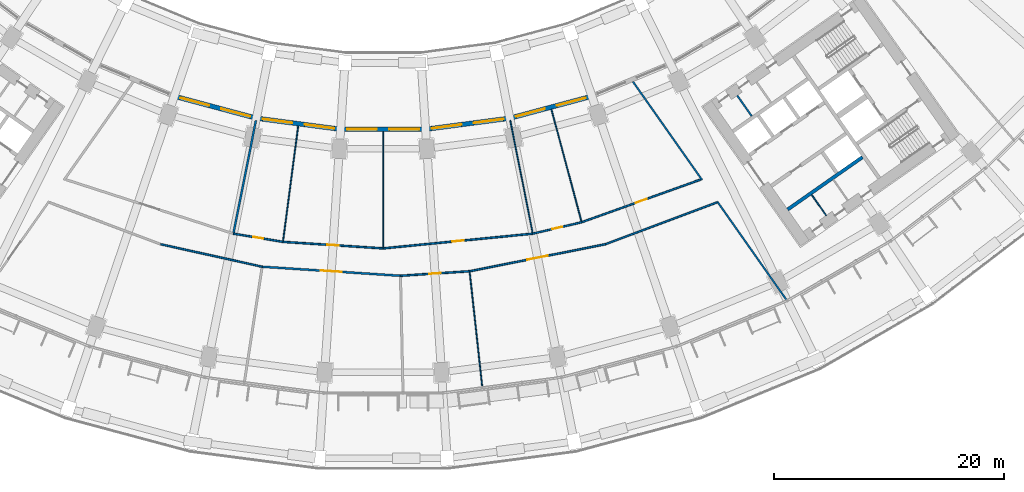
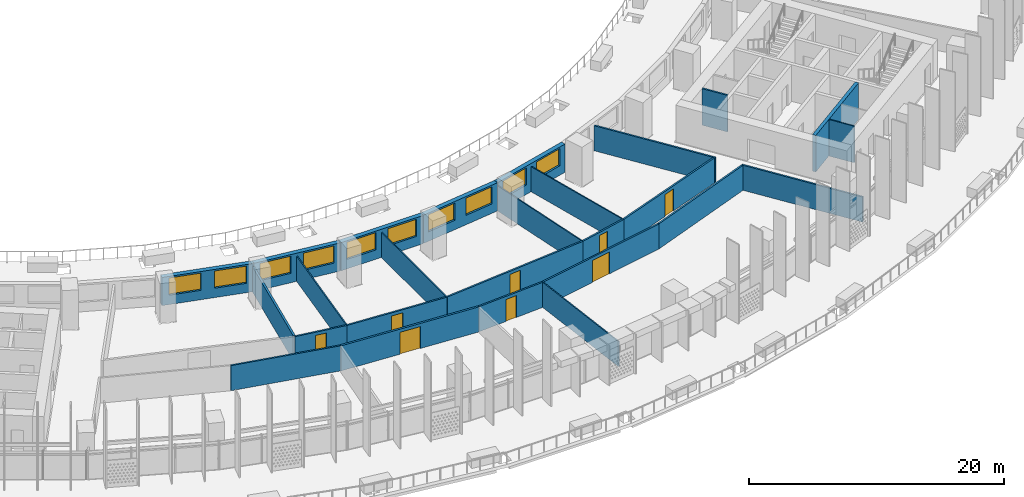
# One storey, part 6 of 35: 26 walls, 10 windows, 8 doors, 18 openings.
"""IFC4 building model written with IfcOpenShell, lengths in metres."""

from ifc_helpers import new_model, si_unit, direction, frame, frame_2d, origin, place, context, subcontext, project, spatial, rectangle, extrude, material, layer, layer_set, type_object, element, fill, save


model = new_model("IFC4")

# Units and contexts
model_context = context("Model", 3, precision=1e-05, world=origin(), true_north=direction((0.0, 1.0)))
body_context = subcontext(model_context, "Body", "Model", "MODEL_VIEW")
ifc_project = project(units=[si_unit("LENGTHUNIT", "METRE"), si_unit("AREAUNIT", "SQUARE_METRE"), si_unit("VOLUMEUNIT", "CUBIC_METRE"), si_unit("PLANEANGLEUNIT", "RADIAN"), si_unit("MASSUNIT", "GRAM", prefix="KILO")], contexts=[model_context])

# Site, building, storey
site_placement = place(None, origin())
site = spatial("IfcSite", under=ifc_project, at=site_placement, CompositionType="ELEMENT")
building_placement = place(site_placement, origin())
building = spatial("IfcBuilding", under=site, at=building_placement, Name="Qamariyya Broadcast Tower", CompositionType="ELEMENT")
storey_placement = place(building_placement, frame((0.0, 0.0, 40.5)))
storey = spatial("IfcBuildingStorey", under=building, at=storey_placement, Name="L06", CompositionType="ELEMENT", Elevation=40.5)

# Wall
ifc_material_1 = material(Name="Gypsum board partition")
ifc_layer_1 = layer(ifc_material_1, 0.14990234375)
ifc_layer_set_1 = layer_set([ifc_layer_1], Name="Corridor partition 150 EI 60")
wall_type_1 = type_object("IfcWallType", Name="Corridor partition 150 EI 60", PredefinedType="PARTITIONING", material=ifc_layer_set_1)
wall_1_placement = place(storey_placement, frame((-19.35791015625, -66.436767578125, 0.0), z_axis=(0.0, 0.0, 1.0), x_axis=(0.97629238904, -0.216455933396, 0.0)))
element("IfcWall", 1, at=wall_1_placement, inside=storey, type_object=wall_type_1, Name="Partition L06-006", PredefinedType="PARTITIONING", context=body_context, shape_type="SweptSolid", body=[
    extrude(rectangle(XDim=9.04345703125, YDim=0.14990234375, at=frame_2d((4.521728515625, 0.0))), origin(), (0.0, 0.0, 1.0), 2.39990234375),
])

# Wall, opening, door
wall_2_placement = place(storey_placement, frame((-13.031982421875, -65.516357421875, 0.0), z_axis=(0.0, 0.0, 1.0), x_axis=(0.986638873051, -0.162922479065, 0.0)))
wall_2 = element("IfcWall", 2, at=wall_2_placement, inside=storey, type_object=wall_type_1, Name="Partition L06-007", PredefinedType="PARTITIONING", context=body_context, shape_type="SweptSolid", body=[
    extrude(rectangle(XDim=4.37109375, YDim=0.14990234375, at=frame_2d((2.185546875, 0.0))), origin(), (0.0, 0.0, 1.0), 2.39990234375),
])
opening_1_placement = place(wall_2_placement, frame((1.735595703125, 0.0, 0.0)))
opening_1 = element("IfcOpeningElement", 3, at=opening_1_placement, cuts=wall_2, Name="Opening L06-D06", PredefinedType="OPENING", context=body_context, shape_type="SweptSolid", body=[
    extrude(rectangle(XDim=0.89990234375, YDim=2.10009765625, at=frame_2d((0.449951171875, 1.050048828125))), frame((0.0, 0.0849609375, 0.0), z_axis=(0.0, -1.0, 0.0), x_axis=(1.0, 0.0, 0.0)), (0.0, 0.0, 1.0), 0.169921875),
])
ifc_material_2 = material(Name="Timber fire door leaf", Category="wood")
door_type_1 = type_object("IfcDoorType", Name="Fire door 900 x 2100 FD60", OperationType="NOTDEFINED", PredefinedType="DOOR", material=ifc_material_2)
door_1_placement = place(opening_1_placement, origin())
door_1 = element("IfcDoor", 4, at=door_1_placement, inside=storey, type_object=door_type_1, Name="Door L06-D06", OperationType="SINGLE_SWING_RIGHT", OverallHeight=2.10009765625, OverallWidth=0.89990234375, PredefinedType="DOOR", context=body_context, shape_type="SweptSolid", body=[
    extrude(rectangle(XDim=0.89990234375, YDim=2.10009765625, at=frame_2d((0.449951171875, 1.050048828125))), frame((0.0, 0.02490234375, 0.0), z_axis=(0.0, -1.0, 0.0), x_axis=(1.0, 0.0, 0.0)), (0.0, 0.0, 1.0), 0.050048828125),
])
fill(opening_1, door_1)

wall_3_placement = place(storey_placement, frame((-8.71923828125, -66.228515625, 0.0), z_axis=(0.0, 0.0, 1.0), x_axis=(0.997858593599, -0.065408158359, 0.0)))
wall_3 = element("IfcWall", 5, at=wall_3_placement, inside=storey, type_object=wall_type_1, Name="Partition L06-011", PredefinedType="PARTITIONING", context=body_context, shape_type="SweptSolid", body=[
    extrude(rectangle(XDim=8.738037109375, YDim=0.14990234375, at=frame_2d((4.369140625, 0.0))), origin(), (0.0, 0.0, 1.0), 2.39990234375),
])
opening_2_placement = place(wall_3_placement, frame((3.868896484375, 0.0, 0.0)))
opening_2 = element("IfcOpeningElement", 6, at=opening_2_placement, cuts=wall_3, Name="Opening L06-D07", PredefinedType="OPENING", context=body_context, shape_type="SweptSolid", body=[
    extrude(rectangle(XDim=1.0, YDim=2.10009765625, at=frame_2d((0.5, 1.050048828125))), frame((0.0, 0.0849609375, 0.0), z_axis=(0.0, -1.0, 0.0), x_axis=(1.0, 0.0, 0.0)), (0.0, 0.0, 1.0), 0.169921875),
])
door_type_2 = type_object("IfcDoorType", Name="Fire door 1000 x 2100 FD60", OperationType="NOTDEFINED", PredefinedType="DOOR", material=ifc_material_2)
door_2_placement = place(opening_2_placement, origin())
door_2 = element("IfcDoor", 7, at=door_2_placement, inside=storey, type_object=door_type_2, Name="Door L06-D07", OperationType="SINGLE_SWING_RIGHT", OverallHeight=2.10009765625, OverallWidth=1.0, PredefinedType="DOOR", context=body_context, shape_type="SweptSolid", body=[
    extrude(rectangle(XDim=1.0, YDim=2.10009765625, at=frame_2d((0.5, 1.050048828125))), frame((0.0, 0.02490234375, 0.0), z_axis=(0.0, -1.0, 0.0), x_axis=(1.0, 0.0, 0.0)), (0.0, 0.0, 1.0), 0.050048828125),
])
fill(opening_2, door_2)

wall_4_placement = place(storey_placement, frame((0.0, -66.800048828125, 0.0), z_axis=(0.0, 0.0, 1.0), x_axis=(0.995183585648, 0.098028724655, 0.0)))
wall_4 = element("IfcWall", 8, at=wall_4_placement, inside=storey, type_object=wall_type_1, Name="Partition L06-013", PredefinedType="PARTITIONING", context=body_context, shape_type="SweptSolid", body=[
    extrude(rectangle(XDim=13.094970703125, YDim=0.14990234375, at=frame_2d((6.54736328125, 0.0))), origin(), (0.0, 0.0, 1.0), 2.39990234375),
])
opening_3_placement = place(wall_4_placement, frame((6.047607421875, 0.0, 0.0)))
opening_3 = element("IfcOpeningElement", 9, at=opening_3_placement, cuts=wall_4, Name="Opening L06-D08", PredefinedType="OPENING", context=body_context, shape_type="SweptSolid", body=[
    extrude(rectangle(XDim=1.0, YDim=2.10009765625, at=frame_2d((0.5, 1.050048828125))), frame((0.0, 0.0849609375, 0.0), z_axis=(0.0, -1.0, 0.0), x_axis=(1.0, 0.0, 0.0)), (0.0, 0.0, 1.0), 0.169921875),
])
door_3_placement = place(opening_3_placement, origin())
door_3 = element("IfcDoor", 10, at=door_3_placement, inside=storey, type_object=door_type_2, Name="Door L06-D08", OperationType="SINGLE_SWING_RIGHT", OverallHeight=2.10009765625, OverallWidth=1.0, PredefinedType="DOOR", context=body_context, shape_type="SweptSolid", body=[
    extrude(rectangle(XDim=1.0, YDim=2.10009765625, at=frame_2d((0.5, 1.050048828125))), frame((0.0, 0.02490234375, 0.0), z_axis=(0.0, -1.0, 0.0), x_axis=(1.0, 0.0, 0.0)), (0.0, 0.0, 1.0), 0.050048828125),
])
fill(opening_3, door_3)

wall_5_placement = place(storey_placement, frame((7.53173828125, -68.788818359375, 0.0), z_axis=(0.0, 0.0, 1.0), x_axis=(-0.997856905736, -0.065433903101, 0.0)))
wall_5 = element("IfcWall", 11, at=wall_5_placement, inside=storey, type_object=wall_type_1, Name="Partition L06-015", PredefinedType="PARTITIONING", context=body_context, shape_type="SweptSolid", body=[
    extrude(rectangle(XDim=6.033203125, YDim=0.14990234375, at=frame_2d((3.0166015625, 0.0))), origin(), (0.0, 0.0, 1.0), 2.39990234375),
])
opening_4_placement = place(wall_5_placement, frame((2.5166015625, 0.0, 0.0)))
opening_4 = element("IfcOpeningElement", 12, at=opening_4_placement, cuts=wall_5, Name="Opening L06-D03", PredefinedType="OPENING", context=body_context, shape_type="SweptSolid", body=[
    extrude(rectangle(XDim=1.0, YDim=2.10009765625, at=frame_2d((0.5, 1.050048828125))), frame((0.0, 0.0849609375, 0.0), z_axis=(0.0, -1.0, 0.0), x_axis=(1.0, 0.0, 0.0)), (0.0, 0.0, 1.0), 0.169921875),
])
door_4_placement = place(opening_4_placement, origin())
door_4 = element("IfcDoor", 13, at=door_4_placement, inside=storey, type_object=door_type_2, Name="Door L06-D03", OperationType="SINGLE_SWING_RIGHT", OverallHeight=2.10009765625, OverallWidth=1.0, PredefinedType="DOOR", context=body_context, shape_type="SweptSolid", body=[
    extrude(rectangle(XDim=1.0, YDim=2.10009765625, at=frame_2d((0.5, 1.050048828125))), frame((0.0, 0.02490234375, 0.0), z_axis=(0.0, -1.0, 0.0), x_axis=(1.0, 0.0, 0.0)), (0.0, 0.0, 1.0), 0.050048828125),
])
fill(opening_4, door_4)

wall_6_placement = place(storey_placement, frame((19.357177734375, -66.436767578125, 0.0), z_axis=(0.0, 0.0, 1.0), x_axis=(-0.980788063455, -0.195076330147, 0.0)))
wall_6 = element("IfcWall", 14, at=wall_6_placement, inside=storey, type_object=wall_type_1, Name="Partition L06-017", PredefinedType="PARTITIONING", context=body_context, shape_type="SweptSolid", body=[
    extrude(rectangle(XDim=12.05712890625, YDim=0.14990234375, at=frame_2d((6.028564453125, 0.0))), origin(), (0.0, 0.0, 1.0), 2.39990234375),
])
opening_5_placement = place(wall_6_placement, frame((5.12841796875, 0.0, 0.0)))
opening_5 = element("IfcOpeningElement", 15, at=opening_5_placement, cuts=wall_6, Name="Opening L06-D04", PredefinedType="OPENING", context=body_context, shape_type="SweptSolid", body=[
    extrude(rectangle(XDim=1.800048828125, YDim=2.10009765625, at=frame_2d((0.89990234375, 1.050048828125))), frame((0.0, 0.0849609375, 0.0), z_axis=(0.0, -1.0, 0.0), x_axis=(1.0, 0.0, 0.0)), (0.0, 0.0, 1.0), 0.169921875),
])
door_type_3 = type_object("IfcDoorType", Name="Double fire door 1800 x 2100 FD60", OperationType="NOTDEFINED", PredefinedType="DOOR", material=ifc_material_2)
door_5_placement = place(opening_5_placement, origin())
door_5 = element("IfcDoor", 16, at=door_5_placement, inside=storey, type_object=door_type_3, Name="Door L06-D04", OperationType="DOUBLE_DOOR_SINGLE_SWING", OverallHeight=2.10009765625, OverallWidth=1.800048828125, PredefinedType="DOOR", context=body_context, shape_type="SweptSolid", body=[
    extrude(rectangle(XDim=1.800048828125, YDim=2.10009765625, at=frame_2d((0.89990234375, 1.050048828125))), frame((0.0, 0.02490234375, 0.0), z_axis=(0.0, -1.0, 0.0), x_axis=(1.0, 0.0, 0.0)), (0.0, 0.0, 1.0), 0.050048828125),
])
fill(opening_5, door_5)

wall_7_placement = place(storey_placement, frame((13.031982421875, -65.516357421875, 0.0), z_axis=(0.0, 0.0, 1.0), x_axis=(0.973886095728, 0.227037161159, 0.0)))
wall_7 = element("IfcWall", 17, at=wall_7_placement, inside=storey, type_object=wall_type_1, Name="Partition L06-020", PredefinedType="PARTITIONING", context=body_context, shape_type="SweptSolid", body=[
    extrude(rectangle(XDim=4.371337890625, YDim=0.14990234375, at=frame_2d((2.185546875, 0.0))), origin(), (0.0, 0.0, 1.0), 2.39990234375),
])
opening_6_placement = place(wall_7_placement, frame((1.735595703125, 0.0, 0.0)))
opening_6 = element("IfcOpeningElement", 18, at=opening_6_placement, cuts=wall_7, Name="Opening L06-D09", PredefinedType="OPENING", context=body_context, shape_type="SweptSolid", body=[
    extrude(rectangle(XDim=0.89990234375, YDim=2.10009765625, at=frame_2d((0.449951171875, 1.050048828125))), frame((0.0, 0.0849609375, 0.0), z_axis=(0.0, -1.0, 0.0), x_axis=(1.0, 0.0, 0.0)), (0.0, 0.0, 1.0), 0.169921875),
])
door_6_placement = place(opening_6_placement, origin())
door_6 = element("IfcDoor", 19, at=door_6_placement, inside=storey, type_object=door_type_1, Name="Door L06-D09", OperationType="SINGLE_SWING_RIGHT", OverallHeight=2.10009765625, OverallWidth=0.89990234375, PredefinedType="DOOR", context=body_context, shape_type="SweptSolid", body=[
    extrude(rectangle(XDim=0.89990234375, YDim=2.10009765625, at=frame_2d((0.449951171875, 1.050048828125))), frame((0.0, 0.02490234375, 0.0), z_axis=(0.0, -1.0, 0.0), x_axis=(1.0, 0.0, 0.0)), (0.0, 0.0, 1.0), 0.050048828125),
])
fill(opening_6, door_6)

wall_8_placement = place(storey_placement, frame((17.2890625, -64.52392578125, 0.0), z_axis=(0.0, 0.0, 1.0), x_axis=(0.941106453562, 0.338110400705, 0.0)))
wall_8 = element("IfcWall", 20, at=wall_8_placement, inside=storey, type_object=wall_type_1, Name="Partition L06-022", PredefinedType="PARTITIONING", context=body_context, shape_type="SweptSolid", body=[
    extrude(rectangle(XDim=11.015869140625, YDim=0.14990234375, at=frame_2d((5.5078125, 0.0))), origin(), (0.0, 0.0, 1.0), 2.39990234375),
])
opening_7_placement = place(wall_8_placement, frame((5.008056640625, 0.0, 0.0)))
opening_7 = element("IfcOpeningElement", 21, at=opening_7_placement, cuts=wall_8, Name="Opening L06-D10", PredefinedType="OPENING", context=body_context, shape_type="SweptSolid", body=[
    extrude(rectangle(XDim=1.0, YDim=2.10009765625, at=frame_2d((0.5, 1.050048828125))), frame((0.0, 0.0849609375, 0.0), z_axis=(0.0, -1.0, 0.0), x_axis=(1.0, 0.0, 0.0)), (0.0, 0.0, 1.0), 0.169921875),
])
door_7_placement = place(opening_7_placement, origin())
door_7 = element("IfcDoor", 22, at=door_7_placement, inside=storey, type_object=door_type_2, Name="Door L06-D10", OperationType="SINGLE_SWING_RIGHT", OverallHeight=2.10009765625, OverallWidth=1.0, PredefinedType="DOOR", context=body_context, shape_type="SweptSolid", body=[
    extrude(rectangle(XDim=1.0, YDim=2.10009765625, at=frame_2d((0.5, 1.050048828125))), frame((0.0, 0.02490234375, 0.0), z_axis=(0.0, -1.0, 0.0), x_axis=(1.0, 0.0, 0.0)), (0.0, 0.0, 1.0), 0.050048828125),
])
fill(opening_7, door_7)

# Walls
wall_9_placement = place(storey_placement, frame((19.37451171875, -66.431640625, 0.0), z_axis=(0.0, 0.0, 1.0), x_axis=(0.936221491251, 0.351410471272, 0.0)))
element("IfcWall", 23, at=wall_9_placement, inside=storey, type_object=wall_type_1, Name="Partition L06-023", PredefinedType="PARTITIONING", context=body_context, shape_type="SweptSolid", body=[
    extrude(rectangle(XDim=10.34619140625, YDim=0.14990234375, at=frame_2d((5.173095703125, 0.0))), origin(), (0.0, 0.0, 1.0), 2.39990234375),
])
wall_10_placement = place(storey_placement, frame((21.748291015625, -52.2763671875, 0.0), z_axis=(0.0, 0.0, 1.0), x_axis=(0.575419434668, -0.817858468322, 0.0)))
element("IfcWall", 24, at=wall_10_placement, inside=storey, type_object=wall_type_1, Name="Partition L06-024", PredefinedType="PARTITIONING", context=body_context, shape_type="SweptSolid", body=[
    extrude(rectangle(XDim=10.46484375, YDim=0.14990234375, at=frame_2d((5.232421875, 0.0))), origin(), (0.0, 0.0, 1.0), 2.39990234375),
])
wall_11_placement = place(storey_placement, frame((29.087890625, -62.708251953125, 0.0), z_axis=(0.0, 0.0, 1.0), x_axis=(0.575411972256, -0.817863718589, 0.0)))
element("IfcWall", 25, at=wall_11_placement, inside=storey, type_object=wall_type_1, Name="Partition L06-025", PredefinedType="PARTITIONING", context=body_context, shape_type="SweptSolid", body=[
    extrude(rectangle(XDim=10.471435546875, YDim=0.14990234375, at=frame_2d((5.23583984375, 0.0))), origin(), (0.0, 0.0, 1.0), 2.39990234375),
])
ifc_material_3 = material(Name="Gypsum board partition on steel studs", Category="steel")
ifc_layer_2 = layer(ifc_material_3, 0.14990234375)
ifc_layer_set_2 = layer_set([ifc_layer_2], Name="Gypsum board partition 150 mm")
wall_type_2 = type_object("IfcWallType", Name="Gypsum board partition 150 mm", PredefinedType="PARTITIONING", material=ifc_layer_set_2)
wall_12_placement = place(storey_placement, frame((32.0947265625, -55.290283203125, 0.0), z_axis=(0.0, 0.0, 1.0), x_axis=(-0.573559170999, 0.819164133348, 0.0)))
element("IfcWall", 26, at=wall_12_placement, inside=storey, type_object=wall_type_2, Name="k-E-L06-NP210", PredefinedType="PARTITIONING", context=body_context, shape_type="SweptSolid", body=[
    extrude(rectangle(XDim=2.19970703125, YDim=0.14990234375, at=frame_2d((1.099853515625, 0.0))), origin(), (0.0, 0.0, 1.0), 3.5),
])
ifc_material_4 = material(Name="Concrete C60/75", Category="concrete")
ifc_layer_3 = layer(ifc_material_4, 0.300048828125)
ifc_layer_set_3 = layer_set([ifc_layer_3], Name="Lift shaft wall 300 mm Concrete C60/75")
wall_type_3 = type_object("IfcWallType", Name="Lift shaft wall 300 mm Concrete C60/75", PredefinedType="SOLIDWALL", material=ifc_layer_set_3)
wall_13_placement = place(storey_placement, frame((35.22119140625, -63.41650390625, 0.0), z_axis=(0.0, 0.0, 1.0), x_axis=(0.819166993208, 0.573555086491, 0.0)))
element("IfcWall", 27, at=wall_13_placement, inside=storey, type_object=wall_type_3, Name="k-E-L06-SB0", PredefinedType="SOLIDWALL", context=body_context, shape_type="SweptSolid", body=[
    extrude(rectangle(XDim=7.9501953125, YDim=0.300048828125, at=frame_2d((3.97509765625, 0.0))), origin(), (0.0, 0.0, 1.0), 3.5),
])
ifc_layer_4 = layer(ifc_material_1, 0.10009765625)
ifc_layer_set_4 = layer_set([ifc_layer_4], Name="Partition 100")
wall_type_4 = type_object("IfcWallType", Name="Partition 100", PredefinedType="PARTITIONING", material=ifc_layer_set_4)
for number, where, z_axis, x_axis, name in (
    (28, (-7.3916015625, -56.144775390625, 0.0), (0.0, 0.0, 1.0), (-0.130538336764, -0.991443262439, 0.0), "Partition L06-012"),
    (29, (0.0, -56.62939453125, 0.0), (0.0, 0.0, 1.0), (0.0, -1.0, 0.0), "Partition L06-014"),
):
    element("IfcWall", number, at=place(storey_placement, frame(where, z_axis=z_axis, x_axis=x_axis)), inside=storey, type_object=wall_type_4, Name=name, PredefinedType="PARTITIONING", context=body_context, shape_type="SweptSolid", body=[
        extrude(rectangle(XDim=10.095703125, YDim=0.10009765625, at=frame_2d((5.0478515625, 0.0))), origin(), (0.0, 0.0, 1.0), 2.39990234375),
    ])
wall_14_placement = place(storey_placement, frame((8.630859375, -78.827392578125, 0.0), z_axis=(0.0, 0.0, 1.0), x_axis=(-0.108851448718, 0.994058027538, 0.0)))
element("IfcWall", 30, at=wall_14_placement, inside=storey, type_object=wall_type_4, Name="Partition L06-018", PredefinedType="PARTITIONING", context=body_context, shape_type="SweptSolid", body=[
    extrude(rectangle(XDim=10.0234375, YDim=0.10009765625, at=frame_2d((5.01171875, 0.0))), origin(), (0.0, 0.0, 1.0), 2.39990234375),
])
wall_15_placement = place(storey_placement, frame((11.0712890625, -55.65966796875, 0.0), z_axis=(0.0, 0.0, 1.0), x_axis=(0.195094645032, -0.980784420492, 0.0)))
element("IfcWall", 31, at=wall_15_placement, inside=storey, type_object=wall_type_4, Name="Partition L06-019", PredefinedType="PARTITIONING", context=body_context, shape_type="SweptSolid", body=[
    extrude(rectangle(XDim=9.974853515625, YDim=0.10009765625, at=frame_2d((4.9873046875, 0.0))), origin(), (0.0, 0.0, 1.0), 2.39990234375),
])
wall_16_placement = place(storey_placement, frame((14.65673828125, -54.69970703125, 0.0), z_axis=(0.0, 0.0, 1.0), x_axis=(0.258825935876, -0.965923979885, 0.0)))
element("IfcWall", 32, at=wall_16_placement, inside=storey, type_object=wall_type_4, Name="Partition L06-021", PredefinedType="PARTITIONING", context=body_context, shape_type="SweptSolid", body=[
    extrude(rectangle(XDim=10.095703125, YDim=0.10009765625, at=frame_2d((5.0478515625, 0.0))), origin(), (0.0, 0.0, 1.0), 2.39990234375),
])
ifc_material_5 = material(Name="Fire-rated gypsum shaft liner on steel studs", Category="steel")
ifc_layer_5 = layer(ifc_material_5, 0.10009765625)
ifc_layer_set_5 = layer_set([ifc_layer_5], Name="Riser wall 100 mm")
wall_type_5 = type_object("IfcWallType", Name="Riser wall 100 mm", PredefinedType="PLUMBINGWALL", material=ifc_layer_set_5)
wall_17_placement = place(storey_placement, frame((37.314208984375, -62.13427734375, 0.0), z_axis=(0.0, 0.0, 1.0), x_axis=(0.573633636671, -0.819111989218, 0.0)))
element("IfcWall", 33, at=wall_17_placement, inside=storey, type_object=wall_type_5, Name="k-E-L06-SP245", PredefinedType="PLUMBINGWALL", context=body_context, shape_type="SweptSolid", body=[
    extrude(rectangle(XDim=2.199951171875, YDim=0.10009765625, at=frame_2d((1.10009765625, 0.0))), origin(), (0.0, 0.0, 1.0), 3.5),
])
ifc_layer_6 = layer(ifc_material_1, 0.179931640625)
ifc_layer_set_6 = layer_set([ifc_layer_6], Name="Studio acoustic partition 180 EI 60")
wall_type_6 = type_object("IfcWallType", Name="Studio acoustic partition 180 EI 60", PredefinedType="PARTITIONING", material=ifc_layer_set_6)
wall_18_placement = place(storey_placement, frame((-11.0712890625, -55.65966796875, 0.0), z_axis=(0.0, 0.0, 1.0), x_axis=(-0.195093112779, -0.980784725282, 0.0)))
element("IfcWall", 34, at=wall_18_placement, inside=storey, type_object=wall_type_6, Name="Partition L06-009", PredefinedType="PARTITIONING", context=body_context, shape_type="SweptSolid", body=[
    extrude(rectangle(XDim=9.9599609375, YDim=0.179931640625, at=frame_2d((4.97998046875, 0.0))), origin(), (0.0, 0.0, 1.0), 2.39990234375),
])

# Wall, opening, door
wall_19_placement = place(storey_placement, frame((1.511474609375, -69.18359375, 0.0), z_axis=(0.0, 0.0, 1.0), x_axis=(-0.997858140049, 0.065415077291, 0.0)))
wall_19 = element("IfcWall", 35, at=wall_19_placement, inside=storey, type_object=wall_type_6, Name="Partition L06-010", PredefinedType="PARTITIONING", context=body_context, shape_type="SweptSolid", body=[
    extrude(rectangle(XDim=12.066162109375, YDim=0.179931640625, at=frame_2d((6.033203125, 0.0))), origin(), (0.0, 0.0, 1.0), 2.39990234375),
])
opening_8_placement = place(wall_19_placement, frame((5.133056640625, 0.0, 0.0)))
opening_8 = element("IfcOpeningElement", 36, at=opening_8_placement, cuts=wall_19, Name="Opening L06-D02", PredefinedType="OPENING", context=body_context, shape_type="SweptSolid", body=[
    extrude(rectangle(XDim=1.800048828125, YDim=2.10009765625, at=frame_2d((0.89990234375, 1.050048828125))), frame((0.0, 0.099853515625, 0.0), z_axis=(0.0, -1.0, 0.0), x_axis=(1.0, 0.0, 0.0)), (0.0, 0.0, 1.0), 0.199951171875),
])
door_8_placement = place(opening_8_placement, origin())
door_8 = element("IfcDoor", 37, at=door_8_placement, inside=storey, type_object=door_type_3, Name="Door L06-D02", OperationType="DOUBLE_DOOR_SINGLE_SWING", OverallHeight=2.10009765625, OverallWidth=1.800048828125, PredefinedType="DOOR", context=body_context, shape_type="SweptSolid", body=[
    extrude(rectangle(XDim=1.800048828125, YDim=2.10009765625, at=frame_2d((0.89990234375, 1.050048828125))), frame((0.0, 0.02490234375, 0.0), z_axis=(0.0, -1.0, 0.0), x_axis=(1.0, 0.0, 0.0)), (0.0, 0.0, 1.0), 0.050048828125),
])
fill(opening_8, door_8)

# Wall, openings, windows
ifc_material_6 = material(Name="Terracotta", Category="masonry")
ifc_layer_7 = layer(ifc_material_6, 0.39990234375)
ifc_layer_set_7 = layer_set([ifc_layer_7], Name="Terracotta clad wall 400")
wall_type_7 = type_object("IfcWallType", Name="Terracotta clad wall 400", PredefinedType="SOLIDWALL", material=ifc_layer_set_7)
wall_20_placement = place(storey_placement, frame((18.20166015625, -53.542724609375, 0.0), z_axis=(0.0, 0.0, 1.0), x_axis=(-0.965924637935, -0.25882348006, 0.0)))
wall_20 = element("IfcWall", 38, at=wall_20_placement, inside=storey, type_object=wall_type_7, Name="e-wl-L06-in100", PredefinedType="SOLIDWALL", context=body_context, shape_type="SweptSolid", body=[
    extrude(rectangle(XDim=7.447021484375, YDim=0.39990234375, at=frame_2d((3.7236328125, 0.0))), origin(), (0.0, 0.0, 1.0), 2.699951171875),
])
opening_9_placement = place(wall_20_placement, frame((4.266357421875, 0.0, 0.89990234375)))
opening_9 = element("IfcOpeningElement", 39, at=opening_9_placement, cuts=wall_20, Name="Opening W1", PredefinedType="OPENING", context=body_context, shape_type="SweptSolid", body=[
    extrude(rectangle(XDim=2.60009765625, YDim=1.64990234375, at=frame_2d((1.300048828125, 0.824951171875))), frame((0.0, 0.2099609375, 0.0), z_axis=(0.0, -1.0, 0.0), x_axis=(1.0, 0.0, 0.0)), (0.0, 0.0, 1.0), 0.419921875),
])
opening_10_placement = place(wall_20_placement, frame((0.580810546875, 0.0, 0.89990234375)))
opening_10 = element("IfcOpeningElement", 40, at=opening_10_placement, cuts=wall_20, Name="Opening W1", PredefinedType="OPENING", context=body_context, shape_type="SweptSolid", body=[
    extrude(rectangle(XDim=2.60009765625, YDim=1.64990234375, at=frame_2d((1.300048828125, 0.824951171875))), frame((0.0, 0.2099609375, 0.0), z_axis=(0.0, -1.0, 0.0), x_axis=(1.0, 0.0, 0.0)), (0.0, 0.0, 1.0), 0.419921875),
])
ifc_material_7 = material(Name="Clear low-e double glazed unit in aluminium frame", Category="aluminium")
window_type = type_object("IfcWindowType", Name="Ribbon window 2600 x 1650", PartitioningType="SINGLE_PANEL", PredefinedType="WINDOW", material=ifc_material_7)
window_1_placement = place(opening_9_placement, origin())
window_1 = element("IfcWindow", 41, at=window_1_placement, inside=storey, type_object=window_type, Name="e-w-L06-in10-0", OverallHeight=1.64990234375, OverallWidth=2.60009765625, PartitioningType="SINGLE_PANEL", PredefinedType="WINDOW", context=body_context, shape_type="SweptSolid", body=[
    extrude(rectangle(XDim=2.60009765625, YDim=1.64990234375, at=frame_2d((1.300048828125, 0.824951171875))), frame((0.0, 0.030029296875, 0.0), z_axis=(0.0, -1.0, 0.0), x_axis=(1.0, 0.0, 0.0)), (0.0, 0.0, 1.0), 0.06005859375),
])
fill(opening_9, window_1)
window_2_placement = place(opening_10_placement, origin())
window_2 = element("IfcWindow", 42, at=window_2_placement, inside=storey, type_object=window_type, Name="e-w-L06-in10-1", OverallHeight=1.64990234375, OverallWidth=2.60009765625, PartitioningType="SINGLE_PANEL", PredefinedType="WINDOW", context=body_context, shape_type="SweptSolid", body=[
    extrude(rectangle(XDim=2.60009765625, YDim=1.64990234375, at=frame_2d((1.300048828125, 0.824951171875))), frame((0.0, 0.030029296875, 0.0), z_axis=(0.0, -1.0, 0.0), x_axis=(1.0, 0.0, 0.0)), (0.0, 0.0, 1.0), 0.06005859375),
])
fill(opening_10, window_2)

wall_21_placement = place(storey_placement, frame((-11.00830078125, -55.47021484375, 0.0), z_axis=(0.0, 0.0, 1.0), x_axis=(-0.965924637935, 0.25882348006, 0.0)))
wall_21 = element("IfcWall", 43, at=wall_21_placement, inside=storey, type_object=wall_type_7, Name="e-wl-L06-in60", PredefinedType="SOLIDWALL", context=body_context, shape_type="SweptSolid", body=[
    extrude(rectangle(XDim=7.447021484375, YDim=0.39990234375, at=frame_2d((3.7236328125, 0.0))), origin(), (0.0, 0.0, 1.0), 2.699951171875),
])
opening_11_placement = place(wall_21_placement, frame((4.266357421875, 0.0, 0.89990234375)))
opening_11 = element("IfcOpeningElement", 44, at=opening_11_placement, cuts=wall_21, Name="Opening W1", PredefinedType="OPENING", context=body_context, shape_type="SweptSolid", body=[
    extrude(rectangle(XDim=2.60009765625, YDim=1.64990234375, at=frame_2d((1.300048828125, 0.824951171875))), frame((0.0, 0.2099609375, 0.0), z_axis=(0.0, -1.0, 0.0), x_axis=(1.0, 0.0, 0.0)), (0.0, 0.0, 1.0), 0.419921875),
])
opening_12_placement = place(wall_21_placement, frame((0.580810546875, 0.0, 0.89990234375)))
opening_12 = element("IfcOpeningElement", 45, at=opening_12_placement, cuts=wall_21, Name="Opening W1", PredefinedType="OPENING", context=body_context, shape_type="SweptSolid", body=[
    extrude(rectangle(XDim=2.60009765625, YDim=1.64990234375, at=frame_2d((1.300048828125, 0.824951171875))), frame((0.0, 0.2099609375, 0.0), z_axis=(0.0, -1.0, 0.0), x_axis=(1.0, 0.0, 0.0)), (0.0, 0.0, 1.0), 0.419921875),
])
window_3_placement = place(opening_11_placement, origin())
window_3 = element("IfcWindow", 46, at=window_3_placement, inside=storey, type_object=window_type, Name="e-w-L06-in06-0", OverallHeight=1.64990234375, OverallWidth=2.60009765625, PartitioningType="SINGLE_PANEL", PredefinedType="WINDOW", context=body_context, shape_type="SweptSolid", body=[
    extrude(rectangle(XDim=2.60009765625, YDim=1.64990234375, at=frame_2d((1.300048828125, 0.824951171875))), frame((0.0, 0.030029296875, 0.0), z_axis=(0.0, -1.0, 0.0), x_axis=(1.0, 0.0, 0.0)), (0.0, 0.0, 1.0), 0.06005859375),
])
fill(opening_11, window_3)
window_4_placement = place(opening_12_placement, origin())
window_4 = element("IfcWindow", 47, at=window_4_placement, inside=storey, type_object=window_type, Name="e-w-L06-in06-1", OverallHeight=1.64990234375, OverallWidth=2.60009765625, PartitioningType="SINGLE_PANEL", PredefinedType="WINDOW", context=body_context, shape_type="SweptSolid", body=[
    extrude(rectangle(XDim=2.60009765625, YDim=1.64990234375, at=frame_2d((1.300048828125, 0.824951171875))), frame((0.0, 0.030029296875, 0.0), z_axis=(0.0, -1.0, 0.0), x_axis=(1.0, 0.0, 0.0)), (0.0, 0.0, 1.0), 0.06005859375),
])
fill(opening_12, window_4)

wall_22_placement = place(storey_placement, frame((-3.748779296875, -56.422607421875, 0.0), z_axis=(0.0, 0.0, 1.0), x_axis=(-0.99144746031, 0.130506449818, 0.0)))
wall_22 = element("IfcWall", 48, at=wall_22_placement, inside=storey, type_object=wall_type_7, Name="e-wl-L06-in70", PredefinedType="SOLIDWALL", context=body_context, shape_type="SweptSolid", body=[
    extrude(rectangle(XDim=7.2958984375, YDim=0.39990234375, at=frame_2d((3.64794921875, 0.0))), origin(), (0.0, 0.0, 1.0), 2.699951171875),
])
opening_13_placement = place(wall_22_placement, frame((4.190673828125, 0.0, 0.89990234375)))
opening_13 = element("IfcOpeningElement", 49, at=opening_13_placement, cuts=wall_22, Name="Opening W1", PredefinedType="OPENING", context=body_context, shape_type="SweptSolid", body=[
    extrude(rectangle(XDim=2.60009765625, YDim=1.64990234375, at=frame_2d((1.300048828125, 0.824951171875))), frame((0.0, 0.2099609375, 0.0), z_axis=(0.0, -1.0, 0.0), x_axis=(1.0, 0.0, 0.0)), (0.0, 0.0, 1.0), 0.419921875),
])
opening_14_placement = place(wall_22_placement, frame((0.505126953125, 0.0, 0.89990234375)))
opening_14 = element("IfcOpeningElement", 50, at=opening_14_placement, cuts=wall_22, Name="Opening W1", PredefinedType="OPENING", context=body_context, shape_type="SweptSolid", body=[
    extrude(rectangle(XDim=2.60009765625, YDim=1.64990234375, at=frame_2d((1.300048828125, 0.824951171875))), frame((0.0, 0.2099609375, 0.0), z_axis=(0.0, -1.0, 0.0), x_axis=(1.0, 0.0, 0.0)), (0.0, 0.0, 1.0), 0.419921875),
])
window_5_placement = place(opening_13_placement, origin())
window_5 = element("IfcWindow", 51, at=window_5_placement, inside=storey, type_object=window_type, Name="e-w-L06-in07-0", OverallHeight=1.64990234375, OverallWidth=2.60009765625, PartitioningType="SINGLE_PANEL", PredefinedType="WINDOW", context=body_context, shape_type="SweptSolid", body=[
    extrude(rectangle(XDim=2.60009765625, YDim=1.64990234375, at=frame_2d((1.300048828125, 0.824951171875))), frame((0.0, 0.030029296875, 0.0), z_axis=(0.0, -1.0, 0.0), x_axis=(1.0, 0.0, 0.0)), (0.0, 0.0, 1.0), 0.06005859375),
])
fill(opening_13, window_5)
window_6_placement = place(opening_14_placement, origin())
window_6 = element("IfcWindow", 52, at=window_6_placement, inside=storey, type_object=window_type, Name="e-w-L06-in07-1", OverallHeight=1.64990234375, OverallWidth=2.60009765625, PartitioningType="SINGLE_PANEL", PredefinedType="WINDOW", context=body_context, shape_type="SweptSolid", body=[
    extrude(rectangle(XDim=2.60009765625, YDim=1.64990234375, at=frame_2d((1.300048828125, 0.824951171875))), frame((0.0, 0.030029296875, 0.0), z_axis=(0.0, -1.0, 0.0), x_axis=(1.0, 0.0, 0.0)), (0.0, 0.0, 1.0), 0.06005859375),
])
fill(opening_14, window_6)

wall_23_placement = place(storey_placement, frame((3.7236328125, -56.429443359375, 0.0), z_axis=(0.0, 0.0, 1.0), x_axis=(-1.0, 0.0, 0.0)))
wall_23 = element("IfcWall", 53, at=wall_23_placement, inside=storey, type_object=wall_type_7, Name="e-wl-L06-in80", PredefinedType="SOLIDWALL", context=body_context, shape_type="SweptSolid", body=[
    extrude(rectangle(XDim=7.447265625, YDim=0.39990234375, at=frame_2d((3.7236328125, 0.0))), origin(), (0.0, 0.0, 1.0), 2.699951171875),
])
opening_15_placement = place(wall_23_placement, frame((4.266357421875, 0.0, 0.89990234375)))
opening_15 = element("IfcOpeningElement", 54, at=opening_15_placement, cuts=wall_23, Name="Opening W1", PredefinedType="OPENING", context=body_context, shape_type="SweptSolid", body=[
    extrude(rectangle(XDim=2.60009765625, YDim=1.64990234375, at=frame_2d((1.300048828125, 0.824951171875))), frame((0.0, 0.2099609375, 0.0), z_axis=(0.0, -1.0, 0.0), x_axis=(1.0, 0.0, 0.0)), (0.0, 0.0, 1.0), 0.419921875),
])
opening_16_placement = place(wall_23_placement, frame((0.580810546875, 0.0, 0.89990234375)))
opening_16 = element("IfcOpeningElement", 55, at=opening_16_placement, cuts=wall_23, Name="Opening W1", PredefinedType="OPENING", context=body_context, shape_type="SweptSolid", body=[
    extrude(rectangle(XDim=2.60009765625, YDim=1.64990234375, at=frame_2d((1.300048828125, 0.824951171875))), frame((0.0, 0.2099609375, 0.0), z_axis=(0.0, -1.0, 0.0), x_axis=(1.0, 0.0, 0.0)), (0.0, 0.0, 1.0), 0.419921875),
])
window_7_placement = place(opening_15_placement, origin())
window_7 = element("IfcWindow", 56, at=window_7_placement, inside=storey, type_object=window_type, Name="e-w-L06-in08-0", OverallHeight=1.64990234375, OverallWidth=2.60009765625, PartitioningType="SINGLE_PANEL", PredefinedType="WINDOW", context=body_context, shape_type="SweptSolid", body=[
    extrude(rectangle(XDim=2.60009765625, YDim=1.64990234375, at=frame_2d((1.300048828125, 0.824951171875))), frame((0.0, 0.030029296875, 0.0), z_axis=(0.0, -1.0, 0.0), x_axis=(1.0, 0.0, 0.0)), (0.0, 0.0, 1.0), 0.06005859375),
])
fill(opening_15, window_7)
window_8_placement = place(opening_16_placement, origin())
window_8 = element("IfcWindow", 57, at=window_8_placement, inside=storey, type_object=window_type, Name="e-w-L06-in08-1", OverallHeight=1.64990234375, OverallWidth=2.60009765625, PartitioningType="SINGLE_PANEL", PredefinedType="WINDOW", context=body_context, shape_type="SweptSolid", body=[
    extrude(rectangle(XDim=2.60009765625, YDim=1.64990234375, at=frame_2d((1.300048828125, 0.824951171875))), frame((0.0, 0.030029296875, 0.0), z_axis=(0.0, -1.0, 0.0), x_axis=(1.0, 0.0, 0.0)), (0.0, 0.0, 1.0), 0.06005859375),
])
fill(opening_16, window_8)

wall_24_placement = place(storey_placement, frame((10.982177734375, -55.470458984375, 0.0), z_axis=(0.0, 0.0, 1.0), x_axis=(-0.99144746031, -0.130506449818, 0.0)))
wall_24 = element("IfcWall", 58, at=wall_24_placement, inside=storey, type_object=wall_type_7, Name="e-wl-L06-in90", PredefinedType="SOLIDWALL", context=body_context, shape_type="SweptSolid", body=[
    extrude(rectangle(XDim=7.2958984375, YDim=0.39990234375, at=frame_2d((3.64794921875, 0.0))), origin(), (0.0, 0.0, 1.0), 2.699951171875),
])
opening_17_placement = place(wall_24_placement, frame((4.190673828125, 0.0, 0.89990234375)))
opening_17 = element("IfcOpeningElement", 59, at=opening_17_placement, cuts=wall_24, Name="Opening W1", PredefinedType="OPENING", context=body_context, shape_type="SweptSolid", body=[
    extrude(rectangle(XDim=2.60009765625, YDim=1.64990234375, at=frame_2d((1.300048828125, 0.824951171875))), frame((0.0, 0.2099609375, 0.0), z_axis=(0.0, -1.0, 0.0), x_axis=(1.0, 0.0, 0.0)), (0.0, 0.0, 1.0), 0.419921875),
])
opening_18_placement = place(wall_24_placement, frame((0.505126953125, 0.0, 0.89990234375)))
opening_18 = element("IfcOpeningElement", 60, at=opening_18_placement, cuts=wall_24, Name="Opening W1", PredefinedType="OPENING", context=body_context, shape_type="SweptSolid", body=[
    extrude(rectangle(XDim=2.60009765625, YDim=1.64990234375, at=frame_2d((1.300048828125, 0.824951171875))), frame((0.0, 0.2099609375, 0.0), z_axis=(0.0, -1.0, 0.0), x_axis=(1.0, 0.0, 0.0)), (0.0, 0.0, 1.0), 0.419921875),
])
window_9_placement = place(opening_17_placement, origin())
window_9 = element("IfcWindow", 61, at=window_9_placement, inside=storey, type_object=window_type, Name="e-w-L06-in09-0", OverallHeight=1.64990234375, OverallWidth=2.60009765625, PartitioningType="SINGLE_PANEL", PredefinedType="WINDOW", context=body_context, shape_type="SweptSolid", body=[
    extrude(rectangle(XDim=2.60009765625, YDim=1.64990234375, at=frame_2d((1.300048828125, 0.824951171875))), frame((0.0, 0.030029296875, 0.0), z_axis=(0.0, -1.0, 0.0), x_axis=(1.0, 0.0, 0.0)), (0.0, 0.0, 1.0), 0.06005859375),
])
fill(opening_17, window_9)
window_10_placement = place(opening_18_placement, origin())
window_10 = element("IfcWindow", 62, at=window_10_placement, inside=storey, type_object=window_type, Name="e-w-L06-in09-1", OverallHeight=1.64990234375, OverallWidth=2.60009765625, PartitioningType="SINGLE_PANEL", PredefinedType="WINDOW", context=body_context, shape_type="SweptSolid", body=[
    extrude(rectangle(XDim=2.60009765625, YDim=1.64990234375, at=frame_2d((1.300048828125, 0.824951171875))), frame((0.0, 0.030029296875, 0.0), z_axis=(0.0, -1.0, 0.0), x_axis=(1.0, 0.0, 0.0)), (0.0, 0.0, 1.0), 0.06005859375),
])
fill(opening_18, window_10)

save(model, "model.ifc")
